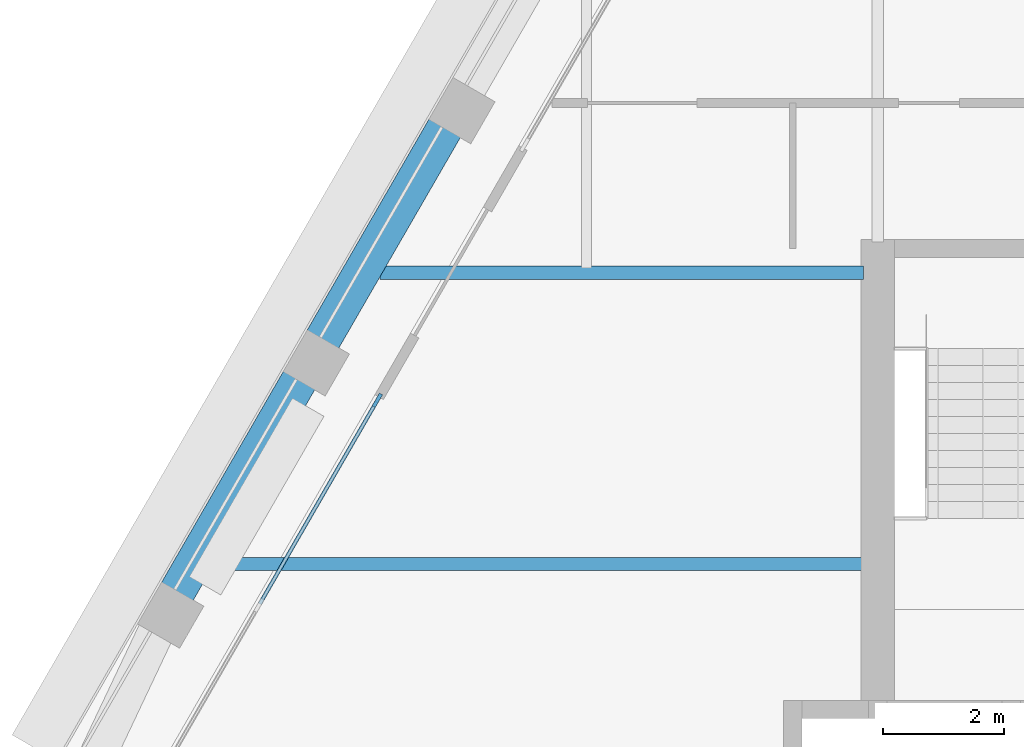
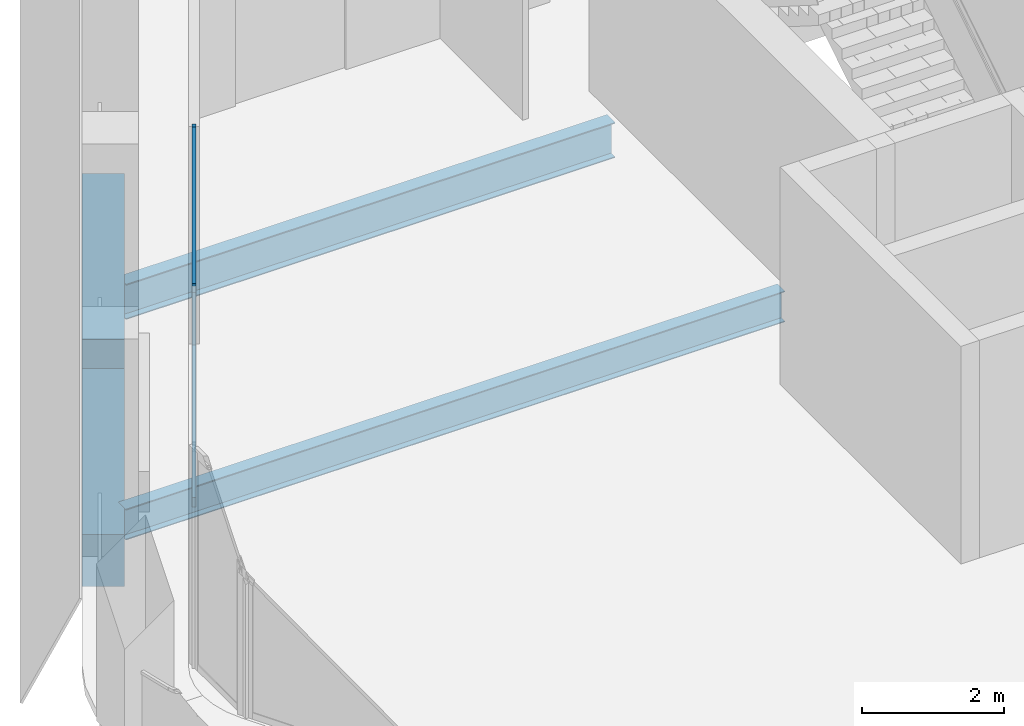
# One storey, part 3 of 14: 4 beams, 3 members, 1 element without a shape of its own.
"""IFC4 building model written with IfcOpenShell, lengths in metres."""

import ifcopenshell
import ifcopenshell.guid

model = None  # the IFC model being written
_history = None  # IfcOwnerHistory: only IFC2X3 demands one
_inside = {}  # id of a spatial element -> (the spatial element, [elements in it])
_under = {}  # id of a project, library or spatial element -> (it, [spatial elements below it])
_declared = {}  # id of a project -> (the project, [libraries it declares])
_typed = {}  # id of a type object -> (the type object, [elements of that type])
_made_of = {}  # id of a material, layer set ... -> (it, [elements and type objects made of it])


def new_model(schema):
    """Start an empty IFC model of exactly this schema.

    Asked for "IFC4X3", IfcOpenShell would pick the latest addendum, in which some entities
    have other attributes; the version numbers below select the first issue.
    IFC2X3 requires an IfcOwnerHistory on every rooted entity: one is made here for all.
    """
    global model, _history
    if schema == "IFC4X3":
        model = ifcopenshell.file(schema_version=(4, 3, 0, 0))
    else:
        model = ifcopenshell.file(schema=schema)
    _inside.clear()
    _under.clear()
    _declared.clear()
    _typed.clear()
    _made_of.clear()
    _history = None
    if model.schema == "IFC2X3":
        org = make("IfcOrganization", Name="unknown")
        user = make(
            "IfcPersonAndOrganization",
            ThePerson=make("IfcPerson", FamilyName="unknown"),
            TheOrganization=org,
        )
        app = make(
            "IfcApplication",
            ApplicationDeveloper=org,
            Version="unknown",
            ApplicationFullName="unknown",
            ApplicationIdentifier="unknown",
        )
        _history = make(
            "IfcOwnerHistory",
            OwningUser=user,
            OwningApplication=app,
            ChangeAction="ADDED",
            CreationDate=0,
        )
    return model


def make(cls, **values):
    """One entity of the class cls with the attributes given. An attribute that is None is left unset."""
    return model.create_entity(
        cls, **{name: value for name, value in values.items() if value is not None}
    )


def rooted(cls, **values):
    """An entity with a GlobalId (a new one), such as an element, a storey or a relation."""
    return make(cls, GlobalId=ifcopenshell.guid.new(), OwnerHistory=_history, **values)


def si_unit(unit_type, name, prefix=None):
    """IfcSIUnit, for example si_unit("LENGTHUNIT", "METRE", prefix="MILLI")."""
    return make("IfcSIUnit", UnitType=unit_type, Prefix=prefix, Name=name)


def assignment(units):
    """IfcUnitAssignment: the units of a project."""
    return None if units is None else make("IfcUnitAssignment", Units=units)


def point(xyz):
    """IfcCartesianPoint."""
    return None if xyz is None else make("IfcCartesianPoint", Coordinates=xyz)


def direction(xyz):
    """IfcDirection."""
    return None if xyz is None else make("IfcDirection", DirectionRatios=xyz)


def frame(location, z_axis=None, x_axis=None):
    """IfcAxis2Placement3D, a coordinate frame: its origin and axes. An axis left out is left unset."""
    return make(
        "IfcAxis2Placement3D",
        Location=point(location),
        Axis=direction(z_axis),
        RefDirection=direction(x_axis),
    )


def frame_2d(location, x_axis=None):
    """IfcAxis2Placement2D, a coordinate frame in the plane: its origin and x axis."""
    return make(
        "IfcAxis2Placement2D", Location=point(location), RefDirection=direction(x_axis)
    )


def origin():
    """The frame at (0, 0, 0) with its axes left unset."""
    return frame((0.0, 0.0, 0.0))


def origin_2d():
    """The frame at (0, 0) in the plane with its x axis left unset."""
    return frame_2d((0.0, 0.0))


def place(relative_to, where):
    """IfcLocalPlacement: puts the frame where relative to a parent placement (None: the world)."""
    return make(
        "IfcLocalPlacement", PlacementRelTo=relative_to, RelativePlacement=where
    )


def context(
    kind, dimensions, precision=None, world=None, true_north=None, identifier=None
):
    """IfcGeometricRepresentationContext, for example the 3D "Model" context."""
    return make(
        "IfcGeometricRepresentationContext",
        ContextIdentifier=identifier,
        ContextType=kind,
        CoordinateSpaceDimension=dimensions,
        Precision=precision,
        WorldCoordinateSystem=world,
        TrueNorth=true_north,
    )


def subcontext(parent, identifier, kind, view, scale=None):
    """IfcGeometricRepresentationSubContext, for example "Body" below "Model"."""
    return make(
        "IfcGeometricRepresentationSubContext",
        ContextIdentifier=identifier,
        ContextType=kind,
        ParentContext=parent,
        TargetScale=scale,
        TargetView=view,
    )


def project(units=None, contexts=None):
    """IfcProject with its units and contexts."""
    return rooted(
        "IfcProject",
        Name="project",
        RepresentationContexts=contexts,
        UnitsInContext=assignment(units),
    )


def spatial(cls, under=None, at=None, **own):
    """A site, building, storey or space (cls), placed at a placement, below another one or the project."""
    s = rooted(cls, ObjectPlacement=at, **own)
    if under is not None:
        _under.setdefault(under.id(), (under, []))[1].append(s)
    return s


def profile(cls, at=None, kind="AREA", **sizes):
    """A parametric profile (cls). Its sizes go by their IFC names, for example OverallWidth=200.0."""
    return make(cls, ProfileType=kind, Position=at, **sizes)


def rectangle(**sizes):
    """IfcRectangleProfileDef."""
    return profile("IfcRectangleProfileDef", **sizes)


def i_section(**sizes):
    """IfcIShapeProfileDef."""
    return profile("IfcIShapeProfileDef", **sizes)


def extrude(swept, where, along, depth):
    """IfcExtrudedAreaSolid: the profile swept, set in the frame where, extruded along a direction by depth."""
    return make(
        "IfcExtrudedAreaSolid",
        SweptArea=swept,
        Position=where,
        ExtrudedDirection=direction(along),
        Depth=depth,
    )


def shape(context_of_items, identifier, shape_type, items):
    """IfcShapeRepresentation: the items that make up one representation, for example the "Body"."""
    return make(
        "IfcShapeRepresentation",
        ContextOfItems=context_of_items,
        RepresentationIdentifier=identifier,
        RepresentationType=shape_type,
        Items=items,
    )


def material(Name=None, Category=None):
    """IfcMaterial."""
    return make("IfcMaterial", Name=Name, Category=Category)


def material_profile(
    of_material, cross_section, Name=None, Category=None, Priority=None
):
    """IfcMaterialProfile: a cross section and its material."""
    return make(
        "IfcMaterialProfile",
        Name=Name,
        Material=of_material,
        Profile=cross_section,
        Priority=Priority,
        Category=Category,
    )


def profile_set(profiles, Name=None, composite=None):
    """IfcMaterialProfileSet."""
    return make(
        "IfcMaterialProfileSet",
        Name=Name,
        MaterialProfiles=profiles,
        CompositeProfile=composite,
    )


def made_of(thing, what):
    """Note that an element or type object is made of a material, layer set ...; save() writes the relation."""
    if what is not None:
        _made_of.setdefault(what.id(), (what, []))[1].append(thing)
    return thing


def type_object(cls, material=None, **own):
    """A type object (cls), such as IfcWallType, which elements share."""
    return made_of(rooted(cls, **own), material)


def element(
    cls,
    number,
    at=None,
    inside=None,
    cuts=None,
    type_object=None,
    material=None,
    context=None,
    identifier="Body",
    shape_type=None,
    held_by="IfcProductDefinitionShape",
    body=None,
    shapes=None,
    **own,
):
    """One element of the class cls, such as IfcWall. Its Tag is "e" and its number.

    at: its placement. inside: the storey or other place that contains it. cuts: it is an
    opening in that element (IfcRelVoidsElement). A single representation is given by context,
    identifier, shape_type and body (its items); several are given by shapes. held_by: the class
    of the entity that holds the representations. save() writes the other relations.
    """
    e = rooted(cls, Tag="e%d" % number, ObjectPlacement=at, **own)
    if body is not None:
        shapes = [shape(context, identifier, shape_type, body)]
    if shapes is not None:
        e.Representation = make(held_by, Representations=shapes)
    if inside is not None:
        _inside.setdefault(inside.id(), (inside, []))[1].append(e)
    if cuts is not None:
        rooted(
            "IfcRelVoidsElement", RelatingBuildingElement=cuts, RelatedOpeningElement=e
        )
    if type_object is not None:
        _typed.setdefault(type_object.id(), (type_object, []))[1].append(e)
    return made_of(e, material)


def aggregate(whole, parts):
    """IfcRelAggregates: a whole, such as a stair, and the parts it consists of."""
    return rooted("IfcRelAggregates", RelatingObject=whole, RelatedObjects=parts)


def save(model, path):
    """Write the relations noted so far, then the file.

    IfcRelAggregates (storeys below a building ...), IfcRelContainedInSpatialStructure (elements
    in a storey), IfcRelDefinesByType, IfcRelAssociatesMaterial and IfcRelDeclares: one each for
    every whole, place, type object, material and project.
    """
    for whole, parts in _under.values():
        aggregate(whole, parts)
    for where, things in _inside.values():
        rooted(
            "IfcRelContainedInSpatialStructure",
            RelatedElements=things,
            RelatingStructure=where,
        )
    for kind, things in _typed.values():
        rooted("IfcRelDefinesByType", RelatedObjects=things, RelatingType=kind)
    for what, things in _made_of.values():
        rooted("IfcRelAssociatesMaterial", RelatedObjects=things, RelatingMaterial=what)
    for by, libraries in _declared.values():
        rooted("IfcRelDeclares", RelatingContext=by, RelatedDefinitions=libraries)
    model.write(path)


model = new_model("IFC4")

# Units and contexts
model_context = context("Model", 3, precision=1e-05, world=origin(), true_north=direction((0.0, 1.0)))
body_context = subcontext(model_context, "Body", "Model", "MODEL_VIEW")
ifc_project = project(units=[si_unit("LENGTHUNIT", "METRE"), si_unit("AREAUNIT", "SQUARE_METRE"), si_unit("VOLUMEUNIT", "CUBIC_METRE"), si_unit("PLANEANGLEUNIT", "RADIAN"), si_unit("MASSUNIT", "GRAM", prefix="KILO")], contexts=[model_context])

# Site, building, storey
site_placement = place(None, origin())
site = spatial("IfcSite", under=ifc_project, at=site_placement, CompositionType="ELEMENT")
building_placement = place(site_placement, origin())
building = spatial("IfcBuilding", under=site, at=building_placement, Name="Kolab Exchange Tower", CompositionType="ELEMENT")
storey_placement = place(building_placement, frame((0.0, 0.0, 242.300048828125)))
storey = spatial("IfcBuildingStorey", under=building, at=storey_placement, Name="L53", CompositionType="ELEMENT", Elevation=242.300048828125)

# Beams
ifc_material_1 = material(Name="Steel S355", Category="steel")
ifc_material_profile_1 = material_profile(ifc_material_1, i_section(OverallWidth=0.208984375, OverallDepth=0.532958984375, WebThickness=0.01025390625, FlangeThickness=0.015625, at=origin_2d()), Name="W530X92")
ifc_profile_set_1 = profile_set([ifc_material_profile_1], Name="Steel S355")
beam_type_1 = type_object("IfcBeamType", Name="FLOOR BEAM W530X92", PredefinedType="BEAM", material=ifc_profile_set_1)
beam_1_placement = place(storey_placement, frame((-20.575927734375, 4.800048828125, -0.41650390625), z_axis=(1.0, 0.0, 0.0), x_axis=(0.0, 1.0, 0.0)))
element("IfcBeam", 1, at=beam_1_placement, inside=storey, type_object=beam_type_1, Name="beam/L53/fr/002", PredefinedType="BEAM", context=body_context, shape_type="SweptSolid", body=[
    extrude(i_section(OverallWidth=0.208984375, OverallDepth=0.532958984375, WebThickness=0.01025390625, FlangeThickness=0.015625, at=origin_2d()), origin(), (0.0, 0.0, 1.0), 10.740966796875),
])
ifc_material_profile_2 = material_profile(ifc_material_1, i_section(OverallWidth=0.22802734375, OverallDepth=0.60791015625, WebThickness=0.01123046875, FlangeThickness=0.017333984375, at=origin_2d()), Name="W610X113")
ifc_profile_set_2 = profile_set([ifc_material_profile_2], Name="Steel S355")
beam_type_2 = type_object("IfcBeamType", Name="FLOOR GIRDER W610X113", PredefinedType="BEAM", material=ifc_profile_set_2)
beam_2_placement = place(storey_placement, frame((-17.8046875, 9.60009765625, -0.4541015625), z_axis=(1.0, 0.0, 0.0), x_axis=(0.0, 1.0, 0.0)))
element("IfcBeam", 2, at=beam_2_placement, inside=storey, type_object=beam_type_2, Name="beam/L53/gd/001", PredefinedType="BEAM", context=body_context, shape_type="SweptSolid", body=[
    extrude(i_section(OverallWidth=0.22802734375, OverallDepth=0.60791015625, WebThickness=0.01123046875, FlangeThickness=0.017333984375, at=origin_2d()), origin(), (0.0, 0.0, 1.0), 7.9697265625),
])
ifc_material_2 = material(Name="Concrete C50/60", Category="concrete")
ifc_material_profile_3 = material_profile(ifc_material_2, rectangle(XDim=0.60009765625, YDim=0.89990234375, at=origin_2d()), Name="RC600X900")
ifc_profile_set_3 = profile_set([ifc_material_profile_3], Name="Concrete C50/60")
beam_type_3 = type_object("IfcBeamType", Name="SPANDREL BEAM 600X900 C50/60", PredefinedType="BEAM", material=ifc_profile_set_3)
for number, where, z_axis, x_axis, name in (
    (3, (-21.16015625, 4.318603515625, -0.60009765625), (0.500000428765, 0.866025156237, 0.0), (-0.866025156237, 0.500000428765, 0.0), "beam/L53/sp/F6-02"),
    (4, (-18.76025390625, 8.4755859375, -0.60009765625), (0.500000428765, 0.866025156237, 0.0), (-0.866025156237, 0.500000428765, 0.0), "beam/L53/sp/F6-03"),
):
    element("IfcBeam", number, at=place(storey_placement, frame(where, z_axis=z_axis, x_axis=x_axis)), inside=storey, type_object=beam_type_3, Name=name, PredefinedType="BEAM", context=body_context, shape_type="SweptSolid", body=[
        extrude(rectangle(XDim=0.60009765625, YDim=0.89990234375, at=origin_2d()), origin(), (0.0, 0.0, 1.0), 4.080078125),
    ])

# Curtain wall, members
ifc_material_3 = material(Name="Aluminium EN AW-6063 T6", Category="aluminium")
curtain_wall_type = type_object("IfcCurtainWallType", Name="UNITISED HIGH ZONE CURTAIN WALL", PredefinedType="NOTDEFINED", material=ifc_material_3)
curtain_wall_placement = place(storey_placement, origin())
curtain_wall = element("IfcCurtainWall", 5, at=curtain_wall_placement, inside=storey, type_object=curtain_wall_type, Name="cw/L53/F6-1", PredefinedType="NOTDEFINED")
ifc_material_profile_4 = material_profile(ifc_material_3, rectangle(XDim=0.06005859375, YDim=0.239990234375, at=origin_2d()), Name="RECT 60X240")
ifc_profile_set_4 = profile_set([ifc_material_profile_4], Name="Aluminium EN AW-6063 T6")
member_type_1 = type_object("IfcMemberType", Name="UNITISED HIGH ZONE MULLION 60 X 240", PredefinedType="MULLION", material=ifc_profile_set_4)
member_1_placement = place(storey_placement, frame((-17.8466796875, 7.497802734375, 0.0), z_axis=(0.0, 0.0, 1.0), x_axis=(-0.866025440524, 0.499999936366, 0.0)))
member_1 = element("IfcMember", 6, at=member_1_placement, type_object=member_type_1, Name="CW4 mullion 3", PredefinedType="MULLION", context=body_context, shape_type="SweptSolid", body=[
    extrude(rectangle(XDim=0.06005859375, YDim=0.239990234375, at=origin_2d()), origin(), (0.0, 0.0, 1.0), 3.75),
])
ifc_material_profile_5 = material_profile(ifc_material_3, rectangle(XDim=0.06005859375, YDim=0.159912109375, at=origin_2d()), Name="RECT 60X160")
ifc_profile_set_5 = profile_set([ifc_material_profile_5], Name="Aluminium EN AW-6063 T6")
member_type_2 = type_object("IfcMemberType", Name="UNITISED HIGH ZONE TRANSOM 60 X 160", PredefinedType="USERDEFINED", material=ifc_profile_set_5)
member_2_placement = place(storey_placement, frame((-19.78369140625, 4.142822265625, 0.030029296875), z_axis=(0.500011990396, 0.866018481016, 0.0), x_axis=(-0.866018481016, 0.500011990396, 0.0)))
member_2 = element("IfcMember", 7, at=member_2_placement, type_object=member_type_2, Name="CW4 transom 2.1", ObjectType="TRANSOM", PredefinedType="USERDEFINED", context=body_context, shape_type="SweptSolid", body=[
    extrude(rectangle(XDim=0.06005859375, YDim=0.159912109375, at=origin_2d()), origin(), (0.0, 0.0, 1.0), 3.84423828125),
])
member_3_placement = place(storey_placement, frame((-19.78369140625, 4.142822265625, 3.719970703125), z_axis=(0.500011990396, 0.866018481016, 0.0), x_axis=(-0.866018481016, 0.500011990396, 0.0)))
member_3 = element("IfcMember", 8, at=member_3_placement, type_object=member_type_2, Name="CW4 transom 2.2", ObjectType="TRANSOM", PredefinedType="USERDEFINED", context=body_context, shape_type="SweptSolid", body=[
    extrude(rectangle(XDim=0.06005859375, YDim=0.159912109375, at=origin_2d()), origin(), (0.0, 0.0, 1.0), 3.84423828125),
])
aggregate(curtain_wall, [member_1, member_2, member_3])

save(model, "model.ifc")
